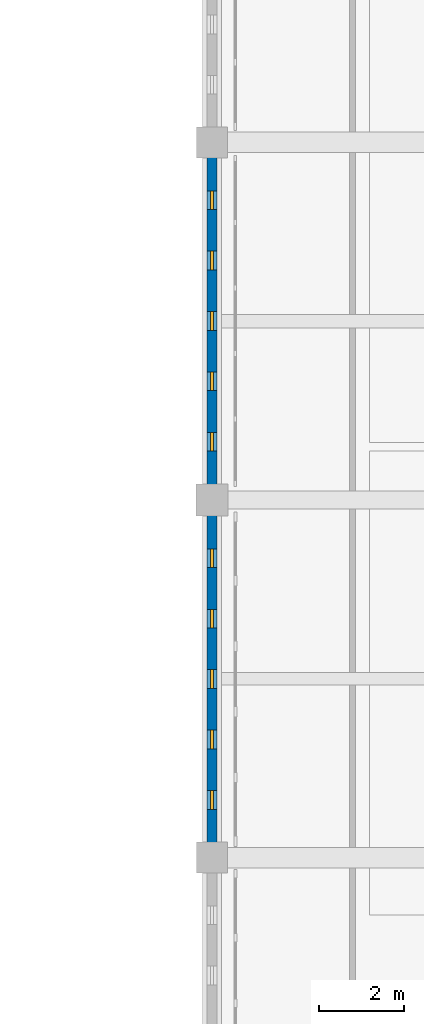
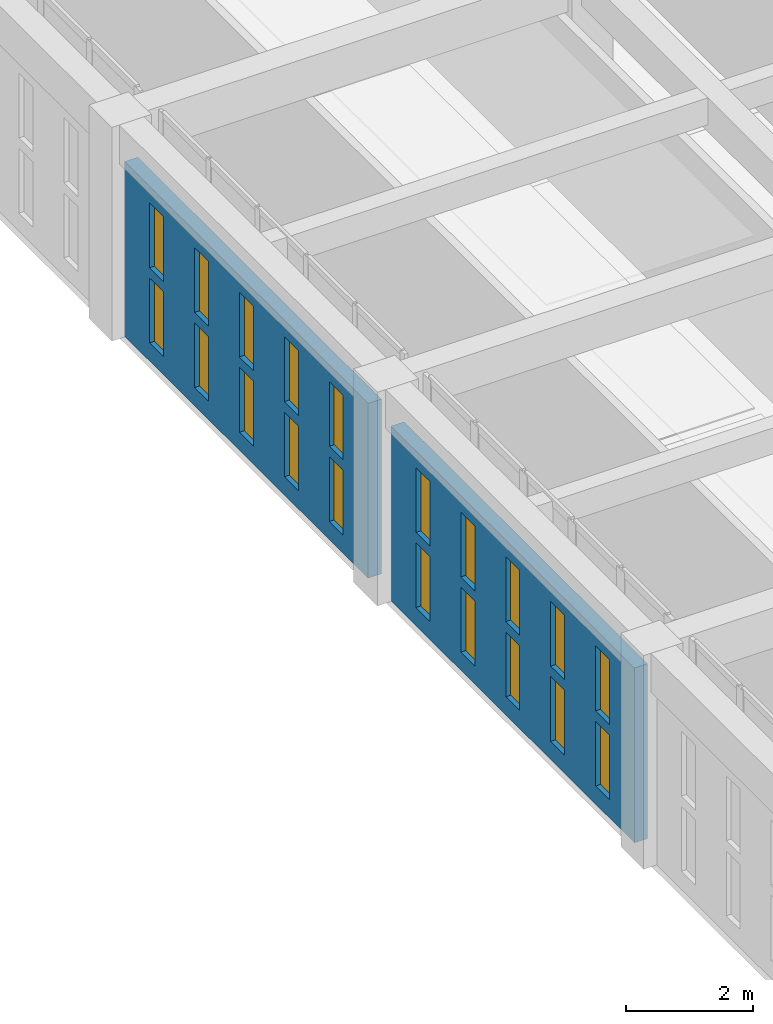
# One storey, part 164 of 192: 20 windows, 2 walls, 20 openings.
"""IFC4 building model written with IfcOpenShell, lengths in metres."""

from ifc_helpers import new_model, si_unit, direction, frame, frame_2d, origin, place, context, subcontext, project, spatial, rectangle, extrude, material, layer, layer_set, type_object, element, fill, save


model = new_model("IFC4")

# Units and contexts
model_context = context("Model", 3, precision=1e-05, world=origin(), true_north=direction((0.0, 1.0)))
body_context = subcontext(model_context, "Body", "Model", "MODEL_VIEW")
ifc_project = project(units=[si_unit("LENGTHUNIT", "METRE"), si_unit("AREAUNIT", "SQUARE_METRE"), si_unit("VOLUMEUNIT", "CUBIC_METRE"), si_unit("PLANEANGLEUNIT", "RADIAN"), si_unit("MASSUNIT", "GRAM", prefix="KILO")], contexts=[model_context])

# Site, building, storey
site_placement = place(None, origin())
site = spatial("IfcSite", under=ifc_project, at=site_placement, CompositionType="ELEMENT")
building_placement = place(site_placement, origin())
building = spatial("IfcBuilding", under=site, at=building_placement, Name="Kveldsbrygga Polytechnic", CompositionType="ELEMENT")
storey_placement = place(building_placement, frame((0.0, 0.0, 5.43994140625)))
storey = spatial("IfcBuildingStorey", under=building, at=storey_placement, Name="L01", CompositionType="ELEMENT", Elevation=5.43994140625)

# Wall, openings, windows
ifc_material_1 = material(Name="Fired clay brick masonry M10", Category="masonry")
ifc_layer = layer(ifc_material_1, 0.239990234375)
ifc_layer_set = layer_set([ifc_layer], Name="Fired clay brick masonry M10")
wall_type = type_object("IfcWallType", Name="EW-SCRN-240", PredefinedType="SOLIDWALL", material=ifc_layer_set)
wall_1_placement = place(storey_placement, frame((126.0, 50.7451171875, 0.0), z_axis=(0.0, 0.0, 1.0), x_axis=(0.0, 1.0, 0.0)))
wall_1 = element("IfcWall", 1, at=wall_1_placement, inside=storey, type_object=wall_type, Name="Perforated Brick Corridor Screen Wall SCRW-L01-Y-15-06", PredefinedType="SOLIDWALL", context=body_context, shape_type="SweptSolid", body=[
    extrude(rectangle(XDim=7.69482421875, YDim=0.239990234375, at=frame_2d((3.847412109375, 0.0))), origin(), (0.0, 0.0, 1.0), 3.3701171875),
])
opening_1_placement = place(wall_1_placement, frame((0.78955078125, 0.0, 0.35009765625)))
opening_1 = element("IfcOpeningElement", 2, at=opening_1_placement, cuts=wall_1, Name="Opening W-48", PredefinedType="OPENING", context=body_context, shape_type="SweptSolid", body=[
    extrude(rectangle(XDim=0.43994140625, YDim=1.25, at=frame_2d((0.219970703125, 0.625))), frame((0.0, 0.1298828125, 0.0), z_axis=(0.0, -1.0, 0.0), x_axis=(1.0, 0.0, 0.0)), (0.0, 0.0, 1.0), 0.260009765625),
])
opening_2_placement = place(wall_1_placement, frame((2.20849609375, 0.0, 0.35009765625)))
opening_2 = element("IfcOpeningElement", 3, at=opening_2_placement, cuts=wall_1, Name="Opening W-48", PredefinedType="OPENING", context=body_context, shape_type="SweptSolid", body=[
    extrude(rectangle(XDim=0.43994140625, YDim=1.25, at=frame_2d((0.219970703125, 0.625))), frame((0.0, 0.1298828125, 0.0), z_axis=(0.0, -1.0, 0.0), x_axis=(1.0, 0.0, 0.0)), (0.0, 0.0, 1.0), 0.260009765625),
])
opening_3_placement = place(wall_1_placement, frame((3.62744140625, 0.0, 0.35009765625)))
opening_3 = element("IfcOpeningElement", 4, at=opening_3_placement, cuts=wall_1, Name="Opening W-48", PredefinedType="OPENING", context=body_context, shape_type="SweptSolid", body=[
    extrude(rectangle(XDim=0.43994140625, YDim=1.25, at=frame_2d((0.219970703125, 0.625))), frame((0.0, 0.1298828125, 0.0), z_axis=(0.0, -1.0, 0.0), x_axis=(1.0, 0.0, 0.0)), (0.0, 0.0, 1.0), 0.260009765625),
])
opening_4_placement = place(wall_1_placement, frame((5.04638671875, 0.0, 0.35009765625)))
opening_4 = element("IfcOpeningElement", 5, at=opening_4_placement, cuts=wall_1, Name="Opening W-48", PredefinedType="OPENING", context=body_context, shape_type="SweptSolid", body=[
    extrude(rectangle(XDim=0.43994140625, YDim=1.25, at=frame_2d((0.219970703125, 0.625))), frame((0.0, 0.1298828125, 0.0), z_axis=(0.0, -1.0, 0.0), x_axis=(1.0, 0.0, 0.0)), (0.0, 0.0, 1.0), 0.260009765625),
])
opening_5_placement = place(wall_1_placement, frame((6.465576171875, 0.0, 0.35009765625)))
opening_5 = element("IfcOpeningElement", 6, at=opening_5_placement, cuts=wall_1, Name="Opening W-48", PredefinedType="OPENING", context=body_context, shape_type="SweptSolid", body=[
    extrude(rectangle(XDim=0.43994140625, YDim=1.25, at=frame_2d((0.219970703125, 0.625))), frame((0.0, 0.1298828125, 0.0), z_axis=(0.0, -1.0, 0.0), x_axis=(1.0, 0.0, 0.0)), (0.0, 0.0, 1.0), 0.260009765625),
])
opening_6_placement = place(wall_1_placement, frame((0.78955078125, 0.0, 1.800048828125)))
opening_6 = element("IfcOpeningElement", 7, at=opening_6_placement, cuts=wall_1, Name="Opening W-48", PredefinedType="OPENING", context=body_context, shape_type="SweptSolid", body=[
    extrude(rectangle(XDim=0.43994140625, YDim=1.25, at=frame_2d((0.219970703125, 0.625))), frame((0.0, 0.1298828125, 0.0), z_axis=(0.0, -1.0, 0.0), x_axis=(1.0, 0.0, 0.0)), (0.0, 0.0, 1.0), 0.260009765625),
])
opening_7_placement = place(wall_1_placement, frame((2.20849609375, 0.0, 1.800048828125)))
opening_7 = element("IfcOpeningElement", 8, at=opening_7_placement, cuts=wall_1, Name="Opening W-48", PredefinedType="OPENING", context=body_context, shape_type="SweptSolid", body=[
    extrude(rectangle(XDim=0.43994140625, YDim=1.25, at=frame_2d((0.219970703125, 0.625))), frame((0.0, 0.1298828125, 0.0), z_axis=(0.0, -1.0, 0.0), x_axis=(1.0, 0.0, 0.0)), (0.0, 0.0, 1.0), 0.260009765625),
])
opening_8_placement = place(wall_1_placement, frame((3.62744140625, 0.0, 1.800048828125)))
opening_8 = element("IfcOpeningElement", 9, at=opening_8_placement, cuts=wall_1, Name="Opening W-48", PredefinedType="OPENING", context=body_context, shape_type="SweptSolid", body=[
    extrude(rectangle(XDim=0.43994140625, YDim=1.25, at=frame_2d((0.219970703125, 0.625))), frame((0.0, 0.1298828125, 0.0), z_axis=(0.0, -1.0, 0.0), x_axis=(1.0, 0.0, 0.0)), (0.0, 0.0, 1.0), 0.260009765625),
])
opening_9_placement = place(wall_1_placement, frame((5.04638671875, 0.0, 1.800048828125)))
opening_9 = element("IfcOpeningElement", 10, at=opening_9_placement, cuts=wall_1, Name="Opening W-48", PredefinedType="OPENING", context=body_context, shape_type="SweptSolid", body=[
    extrude(rectangle(XDim=0.43994140625, YDim=1.25, at=frame_2d((0.219970703125, 0.625))), frame((0.0, 0.1298828125, 0.0), z_axis=(0.0, -1.0, 0.0), x_axis=(1.0, 0.0, 0.0)), (0.0, 0.0, 1.0), 0.260009765625),
])
opening_10_placement = place(wall_1_placement, frame((6.465576171875, 0.0, 1.800048828125)))
opening_10 = element("IfcOpeningElement", 11, at=opening_10_placement, cuts=wall_1, Name="Opening W-48", PredefinedType="OPENING", context=body_context, shape_type="SweptSolid", body=[
    extrude(rectangle(XDim=0.43994140625, YDim=1.25, at=frame_2d((0.219970703125, 0.625))), frame((0.0, 0.1298828125, 0.0), z_axis=(0.0, -1.0, 0.0), x_axis=(1.0, 0.0, 0.0)), (0.0, 0.0, 1.0), 0.260009765625),
])
ifc_material_2 = material(Name="Insulated triple low-E glass", Category="glass")
window_type = type_object("IfcWindowType", Name="WN-SCRN-044x125", PartitioningType="SINGLE_PANEL", PredefinedType="WINDOW", material=ifc_material_2)
window_1_placement = place(opening_1_placement, origin())
window_1 = element("IfcWindow", 12, at=window_1_placement, inside=storey, type_object=window_type, Name="Perforated Screen Aperture L01-Y-15-06-1", OverallHeight=1.25, OverallWidth=0.43994140625, PartitioningType="SINGLE_PANEL", PredefinedType="WINDOW", context=body_context, shape_type="SweptSolid", body=[
    extrude(rectangle(XDim=0.43994140625, YDim=1.25, at=frame_2d((0.219970703125, 0.625))), frame((0.0, 0.030029296875, 0.0), z_axis=(0.0, -1.0, 0.0), x_axis=(1.0, 0.0, 0.0)), (0.0, 0.0, 1.0), 0.06005859375),
])
fill(opening_1, window_1)
window_2_placement = place(opening_2_placement, origin())
window_2 = element("IfcWindow", 13, at=window_2_placement, inside=storey, type_object=window_type, Name="Perforated Screen Aperture L01-Y-15-06-2", OverallHeight=1.25, OverallWidth=0.43994140625, PartitioningType="SINGLE_PANEL", PredefinedType="WINDOW", context=body_context, shape_type="SweptSolid", body=[
    extrude(rectangle(XDim=0.43994140625, YDim=1.25, at=frame_2d((0.219970703125, 0.625))), frame((0.0, 0.030029296875, 0.0), z_axis=(0.0, -1.0, 0.0), x_axis=(1.0, 0.0, 0.0)), (0.0, 0.0, 1.0), 0.06005859375),
])
fill(opening_2, window_2)
window_3_placement = place(opening_3_placement, origin())
window_3 = element("IfcWindow", 14, at=window_3_placement, inside=storey, type_object=window_type, Name="Perforated Screen Aperture L01-Y-15-06-3", OverallHeight=1.25, OverallWidth=0.43994140625, PartitioningType="SINGLE_PANEL", PredefinedType="WINDOW", context=body_context, shape_type="SweptSolid", body=[
    extrude(rectangle(XDim=0.43994140625, YDim=1.25, at=frame_2d((0.219970703125, 0.625))), frame((0.0, 0.030029296875, 0.0), z_axis=(0.0, -1.0, 0.0), x_axis=(1.0, 0.0, 0.0)), (0.0, 0.0, 1.0), 0.06005859375),
])
fill(opening_3, window_3)
window_4_placement = place(opening_4_placement, origin())
window_4 = element("IfcWindow", 15, at=window_4_placement, inside=storey, type_object=window_type, Name="Perforated Screen Aperture L01-Y-15-06-4", OverallHeight=1.25, OverallWidth=0.43994140625, PartitioningType="SINGLE_PANEL", PredefinedType="WINDOW", context=body_context, shape_type="SweptSolid", body=[
    extrude(rectangle(XDim=0.43994140625, YDim=1.25, at=frame_2d((0.219970703125, 0.625))), frame((0.0, 0.030029296875, 0.0), z_axis=(0.0, -1.0, 0.0), x_axis=(1.0, 0.0, 0.0)), (0.0, 0.0, 1.0), 0.06005859375),
])
fill(opening_4, window_4)
window_5_placement = place(opening_5_placement, origin())
window_5 = element("IfcWindow", 16, at=window_5_placement, inside=storey, type_object=window_type, Name="Perforated Screen Aperture L01-Y-15-06-5", OverallHeight=1.25, OverallWidth=0.43994140625, PartitioningType="SINGLE_PANEL", PredefinedType="WINDOW", context=body_context, shape_type="SweptSolid", body=[
    extrude(rectangle(XDim=0.43994140625, YDim=1.25, at=frame_2d((0.219970703125, 0.625))), frame((0.0, 0.030029296875, 0.0), z_axis=(0.0, -1.0, 0.0), x_axis=(1.0, 0.0, 0.0)), (0.0, 0.0, 1.0), 0.06005859375),
])
fill(opening_5, window_5)
window_6_placement = place(opening_6_placement, origin())
window_6 = element("IfcWindow", 17, at=window_6_placement, inside=storey, type_object=window_type, Name="Perforated Screen Aperture L01-Y-15-06-6", OverallHeight=1.25, OverallWidth=0.43994140625, PartitioningType="SINGLE_PANEL", PredefinedType="WINDOW", context=body_context, shape_type="SweptSolid", body=[
    extrude(rectangle(XDim=0.43994140625, YDim=1.25, at=frame_2d((0.219970703125, 0.625))), frame((0.0, 0.030029296875, 0.0), z_axis=(0.0, -1.0, 0.0), x_axis=(1.0, 0.0, 0.0)), (0.0, 0.0, 1.0), 0.06005859375),
])
fill(opening_6, window_6)
window_7_placement = place(opening_7_placement, origin())
window_7 = element("IfcWindow", 18, at=window_7_placement, inside=storey, type_object=window_type, Name="Perforated Screen Aperture L01-Y-15-06-7", OverallHeight=1.25, OverallWidth=0.43994140625, PartitioningType="SINGLE_PANEL", PredefinedType="WINDOW", context=body_context, shape_type="SweptSolid", body=[
    extrude(rectangle(XDim=0.43994140625, YDim=1.25, at=frame_2d((0.219970703125, 0.625))), frame((0.0, 0.030029296875, 0.0), z_axis=(0.0, -1.0, 0.0), x_axis=(1.0, 0.0, 0.0)), (0.0, 0.0, 1.0), 0.06005859375),
])
fill(opening_7, window_7)
window_8_placement = place(opening_8_placement, origin())
window_8 = element("IfcWindow", 19, at=window_8_placement, inside=storey, type_object=window_type, Name="Perforated Screen Aperture L01-Y-15-06-8", OverallHeight=1.25, OverallWidth=0.43994140625, PartitioningType="SINGLE_PANEL", PredefinedType="WINDOW", context=body_context, shape_type="SweptSolid", body=[
    extrude(rectangle(XDim=0.43994140625, YDim=1.25, at=frame_2d((0.219970703125, 0.625))), frame((0.0, 0.030029296875, 0.0), z_axis=(0.0, -1.0, 0.0), x_axis=(1.0, 0.0, 0.0)), (0.0, 0.0, 1.0), 0.06005859375),
])
fill(opening_8, window_8)
window_9_placement = place(opening_9_placement, origin())
window_9 = element("IfcWindow", 20, at=window_9_placement, inside=storey, type_object=window_type, Name="Perforated Screen Aperture L01-Y-15-06-9", OverallHeight=1.25, OverallWidth=0.43994140625, PartitioningType="SINGLE_PANEL", PredefinedType="WINDOW", context=body_context, shape_type="SweptSolid", body=[
    extrude(rectangle(XDim=0.43994140625, YDim=1.25, at=frame_2d((0.219970703125, 0.625))), frame((0.0, 0.030029296875, 0.0), z_axis=(0.0, -1.0, 0.0), x_axis=(1.0, 0.0, 0.0)), (0.0, 0.0, 1.0), 0.06005859375),
])
fill(opening_9, window_9)
window_10_placement = place(opening_10_placement, origin())
window_10 = element("IfcWindow", 21, at=window_10_placement, inside=storey, type_object=window_type, Name="Perforated Screen Aperture L01-Y-15-06-10", OverallHeight=1.25, OverallWidth=0.43994140625, PartitioningType="SINGLE_PANEL", PredefinedType="WINDOW", context=body_context, shape_type="SweptSolid", body=[
    extrude(rectangle(XDim=0.43994140625, YDim=1.25, at=frame_2d((0.219970703125, 0.625))), frame((0.0, 0.030029296875, 0.0), z_axis=(0.0, -1.0, 0.0), x_axis=(1.0, 0.0, 0.0)), (0.0, 0.0, 1.0), 0.06005859375),
])
fill(opening_10, window_10)

wall_2_placement = place(storey_placement, frame((126.0, 59.159912109375, 0.0), z_axis=(0.0, 0.0, 1.0), x_axis=(0.0, 1.0, 0.0)))
wall_2 = element("IfcWall", 22, at=wall_2_placement, inside=storey, type_object=wall_type, Name="Perforated Brick Corridor Screen Wall SCRW-L01-Y-15-07", PredefinedType="SOLIDWALL", context=body_context, shape_type="SweptSolid", body=[
    extrude(rectangle(XDim=7.695068359375, YDim=0.239990234375, at=frame_2d((3.84765625, 0.0))), origin(), (0.0, 0.0, 1.0), 3.3701171875),
])
opening_11_placement = place(wall_2_placement, frame((0.78955078125, 0.0, 0.35009765625)))
opening_11 = element("IfcOpeningElement", 23, at=opening_11_placement, cuts=wall_2, Name="Opening W-48", PredefinedType="OPENING", context=body_context, shape_type="SweptSolid", body=[
    extrude(rectangle(XDim=0.43994140625, YDim=1.25, at=frame_2d((0.219970703125, 0.625))), frame((0.0, 0.1298828125, 0.0), z_axis=(0.0, -1.0, 0.0), x_axis=(1.0, 0.0, 0.0)), (0.0, 0.0, 1.0), 0.260009765625),
])
opening_12_placement = place(wall_2_placement, frame((2.20849609375, 0.0, 0.35009765625)))
opening_12 = element("IfcOpeningElement", 24, at=opening_12_placement, cuts=wall_2, Name="Opening W-48", PredefinedType="OPENING", context=body_context, shape_type="SweptSolid", body=[
    extrude(rectangle(XDim=0.43994140625, YDim=1.25, at=frame_2d((0.219970703125, 0.625))), frame((0.0, 0.1298828125, 0.0), z_axis=(0.0, -1.0, 0.0), x_axis=(1.0, 0.0, 0.0)), (0.0, 0.0, 1.0), 0.260009765625),
])
opening_13_placement = place(wall_2_placement, frame((3.62744140625, 0.0, 0.35009765625)))
opening_13 = element("IfcOpeningElement", 25, at=opening_13_placement, cuts=wall_2, Name="Opening W-48", PredefinedType="OPENING", context=body_context, shape_type="SweptSolid", body=[
    extrude(rectangle(XDim=0.43994140625, YDim=1.25, at=frame_2d((0.219970703125, 0.625))), frame((0.0, 0.1298828125, 0.0), z_axis=(0.0, -1.0, 0.0), x_axis=(1.0, 0.0, 0.0)), (0.0, 0.0, 1.0), 0.260009765625),
])
opening_14_placement = place(wall_2_placement, frame((5.04638671875, 0.0, 0.35009765625)))
opening_14 = element("IfcOpeningElement", 26, at=opening_14_placement, cuts=wall_2, Name="Opening W-48", PredefinedType="OPENING", context=body_context, shape_type="SweptSolid", body=[
    extrude(rectangle(XDim=0.43994140625, YDim=1.25, at=frame_2d((0.219970703125, 0.625))), frame((0.0, 0.1298828125, 0.0), z_axis=(0.0, -1.0, 0.0), x_axis=(1.0, 0.0, 0.0)), (0.0, 0.0, 1.0), 0.260009765625),
])
opening_15_placement = place(wall_2_placement, frame((6.465576171875, 0.0, 0.35009765625)))
opening_15 = element("IfcOpeningElement", 27, at=opening_15_placement, cuts=wall_2, Name="Opening W-48", PredefinedType="OPENING", context=body_context, shape_type="SweptSolid", body=[
    extrude(rectangle(XDim=0.43994140625, YDim=1.25, at=frame_2d((0.219970703125, 0.625))), frame((0.0, 0.1298828125, 0.0), z_axis=(0.0, -1.0, 0.0), x_axis=(1.0, 0.0, 0.0)), (0.0, 0.0, 1.0), 0.260009765625),
])
opening_16_placement = place(wall_2_placement, frame((0.78955078125, 0.0, 1.800048828125)))
opening_16 = element("IfcOpeningElement", 28, at=opening_16_placement, cuts=wall_2, Name="Opening W-48", PredefinedType="OPENING", context=body_context, shape_type="SweptSolid", body=[
    extrude(rectangle(XDim=0.43994140625, YDim=1.25, at=frame_2d((0.219970703125, 0.625))), frame((0.0, 0.1298828125, 0.0), z_axis=(0.0, -1.0, 0.0), x_axis=(1.0, 0.0, 0.0)), (0.0, 0.0, 1.0), 0.260009765625),
])
opening_17_placement = place(wall_2_placement, frame((2.20849609375, 0.0, 1.800048828125)))
opening_17 = element("IfcOpeningElement", 29, at=opening_17_placement, cuts=wall_2, Name="Opening W-48", PredefinedType="OPENING", context=body_context, shape_type="SweptSolid", body=[
    extrude(rectangle(XDim=0.43994140625, YDim=1.25, at=frame_2d((0.219970703125, 0.625))), frame((0.0, 0.1298828125, 0.0), z_axis=(0.0, -1.0, 0.0), x_axis=(1.0, 0.0, 0.0)), (0.0, 0.0, 1.0), 0.260009765625),
])
opening_18_placement = place(wall_2_placement, frame((3.62744140625, 0.0, 1.800048828125)))
opening_18 = element("IfcOpeningElement", 30, at=opening_18_placement, cuts=wall_2, Name="Opening W-48", PredefinedType="OPENING", context=body_context, shape_type="SweptSolid", body=[
    extrude(rectangle(XDim=0.43994140625, YDim=1.25, at=frame_2d((0.219970703125, 0.625))), frame((0.0, 0.1298828125, 0.0), z_axis=(0.0, -1.0, 0.0), x_axis=(1.0, 0.0, 0.0)), (0.0, 0.0, 1.0), 0.260009765625),
])
opening_19_placement = place(wall_2_placement, frame((5.04638671875, 0.0, 1.800048828125)))
opening_19 = element("IfcOpeningElement", 31, at=opening_19_placement, cuts=wall_2, Name="Opening W-48", PredefinedType="OPENING", context=body_context, shape_type="SweptSolid", body=[
    extrude(rectangle(XDim=0.43994140625, YDim=1.25, at=frame_2d((0.219970703125, 0.625))), frame((0.0, 0.1298828125, 0.0), z_axis=(0.0, -1.0, 0.0), x_axis=(1.0, 0.0, 0.0)), (0.0, 0.0, 1.0), 0.260009765625),
])
opening_20_placement = place(wall_2_placement, frame((6.465576171875, 0.0, 1.800048828125)))
opening_20 = element("IfcOpeningElement", 32, at=opening_20_placement, cuts=wall_2, Name="Opening W-48", PredefinedType="OPENING", context=body_context, shape_type="SweptSolid", body=[
    extrude(rectangle(XDim=0.43994140625, YDim=1.25, at=frame_2d((0.219970703125, 0.625))), frame((0.0, 0.1298828125, 0.0), z_axis=(0.0, -1.0, 0.0), x_axis=(1.0, 0.0, 0.0)), (0.0, 0.0, 1.0), 0.260009765625),
])
window_11_placement = place(opening_11_placement, origin())
window_11 = element("IfcWindow", 33, at=window_11_placement, inside=storey, type_object=window_type, Name="Perforated Screen Aperture L01-Y-15-07-1", OverallHeight=1.25, OverallWidth=0.43994140625, PartitioningType="SINGLE_PANEL", PredefinedType="WINDOW", context=body_context, shape_type="SweptSolid", body=[
    extrude(rectangle(XDim=0.43994140625, YDim=1.25, at=frame_2d((0.219970703125, 0.625))), frame((0.0, 0.030029296875, 0.0), z_axis=(0.0, -1.0, 0.0), x_axis=(1.0, 0.0, 0.0)), (0.0, 0.0, 1.0), 0.06005859375),
])
fill(opening_11, window_11)
window_12_placement = place(opening_12_placement, origin())
window_12 = element("IfcWindow", 34, at=window_12_placement, inside=storey, type_object=window_type, Name="Perforated Screen Aperture L01-Y-15-07-2", OverallHeight=1.25, OverallWidth=0.43994140625, PartitioningType="SINGLE_PANEL", PredefinedType="WINDOW", context=body_context, shape_type="SweptSolid", body=[
    extrude(rectangle(XDim=0.43994140625, YDim=1.25, at=frame_2d((0.219970703125, 0.625))), frame((0.0, 0.030029296875, 0.0), z_axis=(0.0, -1.0, 0.0), x_axis=(1.0, 0.0, 0.0)), (0.0, 0.0, 1.0), 0.06005859375),
])
fill(opening_12, window_12)
window_13_placement = place(opening_13_placement, origin())
window_13 = element("IfcWindow", 35, at=window_13_placement, inside=storey, type_object=window_type, Name="Perforated Screen Aperture L01-Y-15-07-3", OverallHeight=1.25, OverallWidth=0.43994140625, PartitioningType="SINGLE_PANEL", PredefinedType="WINDOW", context=body_context, shape_type="SweptSolid", body=[
    extrude(rectangle(XDim=0.43994140625, YDim=1.25, at=frame_2d((0.219970703125, 0.625))), frame((0.0, 0.030029296875, 0.0), z_axis=(0.0, -1.0, 0.0), x_axis=(1.0, 0.0, 0.0)), (0.0, 0.0, 1.0), 0.06005859375),
])
fill(opening_13, window_13)
window_14_placement = place(opening_14_placement, origin())
window_14 = element("IfcWindow", 36, at=window_14_placement, inside=storey, type_object=window_type, Name="Perforated Screen Aperture L01-Y-15-07-4", OverallHeight=1.25, OverallWidth=0.43994140625, PartitioningType="SINGLE_PANEL", PredefinedType="WINDOW", context=body_context, shape_type="SweptSolid", body=[
    extrude(rectangle(XDim=0.43994140625, YDim=1.25, at=frame_2d((0.219970703125, 0.625))), frame((0.0, 0.030029296875, 0.0), z_axis=(0.0, -1.0, 0.0), x_axis=(1.0, 0.0, 0.0)), (0.0, 0.0, 1.0), 0.06005859375),
])
fill(opening_14, window_14)
window_15_placement = place(opening_15_placement, origin())
window_15 = element("IfcWindow", 37, at=window_15_placement, inside=storey, type_object=window_type, Name="Perforated Screen Aperture L01-Y-15-07-5", OverallHeight=1.25, OverallWidth=0.43994140625, PartitioningType="SINGLE_PANEL", PredefinedType="WINDOW", context=body_context, shape_type="SweptSolid", body=[
    extrude(rectangle(XDim=0.43994140625, YDim=1.25, at=frame_2d((0.219970703125, 0.625))), frame((0.0, 0.030029296875, 0.0), z_axis=(0.0, -1.0, 0.0), x_axis=(1.0, 0.0, 0.0)), (0.0, 0.0, 1.0), 0.06005859375),
])
fill(opening_15, window_15)
window_16_placement = place(opening_16_placement, origin())
window_16 = element("IfcWindow", 38, at=window_16_placement, inside=storey, type_object=window_type, Name="Perforated Screen Aperture L01-Y-15-07-6", OverallHeight=1.25, OverallWidth=0.43994140625, PartitioningType="SINGLE_PANEL", PredefinedType="WINDOW", context=body_context, shape_type="SweptSolid", body=[
    extrude(rectangle(XDim=0.43994140625, YDim=1.25, at=frame_2d((0.219970703125, 0.625))), frame((0.0, 0.030029296875, 0.0), z_axis=(0.0, -1.0, 0.0), x_axis=(1.0, 0.0, 0.0)), (0.0, 0.0, 1.0), 0.06005859375),
])
fill(opening_16, window_16)
window_17_placement = place(opening_17_placement, origin())
window_17 = element("IfcWindow", 39, at=window_17_placement, inside=storey, type_object=window_type, Name="Perforated Screen Aperture L01-Y-15-07-7", OverallHeight=1.25, OverallWidth=0.43994140625, PartitioningType="SINGLE_PANEL", PredefinedType="WINDOW", context=body_context, shape_type="SweptSolid", body=[
    extrude(rectangle(XDim=0.43994140625, YDim=1.25, at=frame_2d((0.219970703125, 0.625))), frame((0.0, 0.030029296875, 0.0), z_axis=(0.0, -1.0, 0.0), x_axis=(1.0, 0.0, 0.0)), (0.0, 0.0, 1.0), 0.06005859375),
])
fill(opening_17, window_17)
window_18_placement = place(opening_18_placement, origin())
window_18 = element("IfcWindow", 40, at=window_18_placement, inside=storey, type_object=window_type, Name="Perforated Screen Aperture L01-Y-15-07-8", OverallHeight=1.25, OverallWidth=0.43994140625, PartitioningType="SINGLE_PANEL", PredefinedType="WINDOW", context=body_context, shape_type="SweptSolid", body=[
    extrude(rectangle(XDim=0.43994140625, YDim=1.25, at=frame_2d((0.219970703125, 0.625))), frame((0.0, 0.030029296875, 0.0), z_axis=(0.0, -1.0, 0.0), x_axis=(1.0, 0.0, 0.0)), (0.0, 0.0, 1.0), 0.06005859375),
])
fill(opening_18, window_18)
window_19_placement = place(opening_19_placement, origin())
window_19 = element("IfcWindow", 41, at=window_19_placement, inside=storey, type_object=window_type, Name="Perforated Screen Aperture L01-Y-15-07-9", OverallHeight=1.25, OverallWidth=0.43994140625, PartitioningType="SINGLE_PANEL", PredefinedType="WINDOW", context=body_context, shape_type="SweptSolid", body=[
    extrude(rectangle(XDim=0.43994140625, YDim=1.25, at=frame_2d((0.219970703125, 0.625))), frame((0.0, 0.030029296875, 0.0), z_axis=(0.0, -1.0, 0.0), x_axis=(1.0, 0.0, 0.0)), (0.0, 0.0, 1.0), 0.06005859375),
])
fill(opening_19, window_19)
window_20_placement = place(opening_20_placement, origin())
window_20 = element("IfcWindow", 42, at=window_20_placement, inside=storey, type_object=window_type, Name="Perforated Screen Aperture L01-Y-15-07-10", OverallHeight=1.25, OverallWidth=0.43994140625, PartitioningType="SINGLE_PANEL", PredefinedType="WINDOW", context=body_context, shape_type="SweptSolid", body=[
    extrude(rectangle(XDim=0.43994140625, YDim=1.25, at=frame_2d((0.219970703125, 0.625))), frame((0.0, 0.030029296875, 0.0), z_axis=(0.0, -1.0, 0.0), x_axis=(1.0, 0.0, 0.0)), (0.0, 0.0, 1.0), 0.06005859375),
])
fill(opening_20, window_20)

save(model, "model.ifc")
